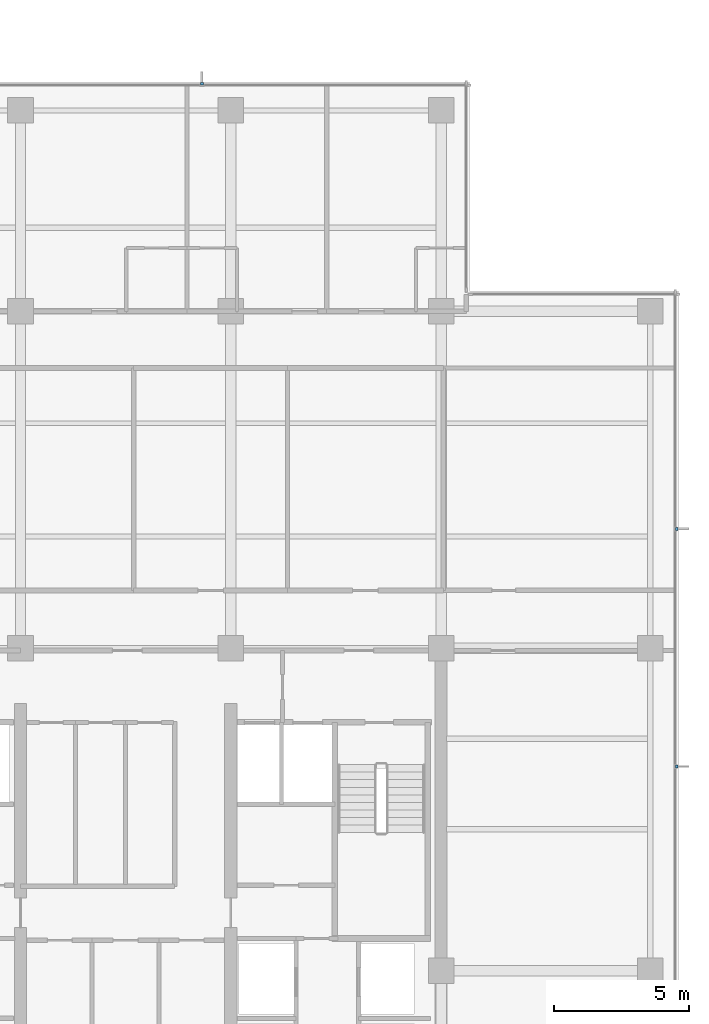
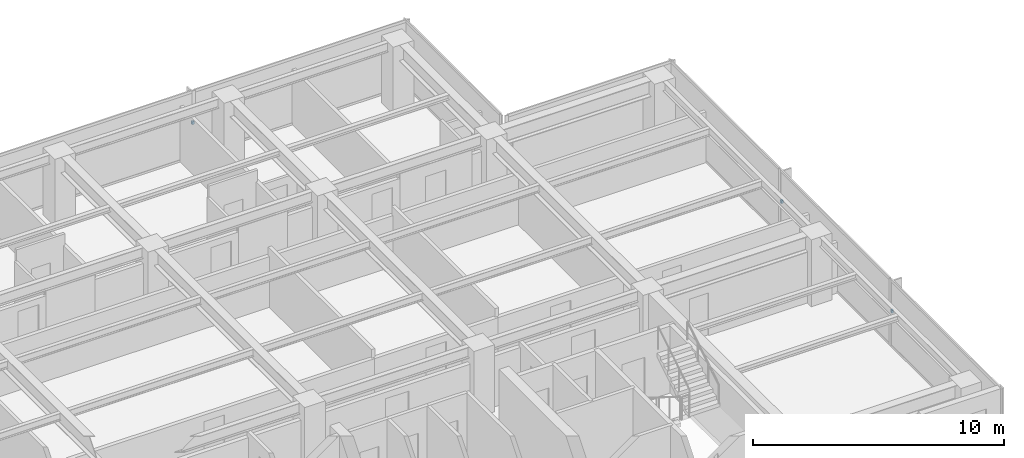
# One storey, part 12 of 14: 3 discrete accessories.
"""IFC4 building model written with IfcOpenShell, lengths in metres."""

from ifc_helpers import new_model, si_unit, direction, frame, origin, place, context, subcontext, project, spatial, polyline, outline, extrude, material, type_object, element, save


model = new_model("IFC4")

# Units and contexts
model_context = context("Model", 3, precision=1e-05, world=origin(), true_north=direction((0.0, 1.0)))
body_context = subcontext(model_context, "Body", "Model", "MODEL_VIEW")
ifc_project = project(units=[si_unit("LENGTHUNIT", "METRE"), si_unit("AREAUNIT", "SQUARE_METRE"), si_unit("VOLUMEUNIT", "CUBIC_METRE"), si_unit("PLANEANGLEUNIT", "RADIAN"), si_unit("MASSUNIT", "GRAM", prefix="KILO")], contexts=[model_context])

# Site, building, storey
site_placement = place(None, origin())
site = spatial("IfcSite", under=ifc_project, at=site_placement, CompositionType="ELEMENT")
building_placement = place(site_placement, origin())
building = spatial("IfcBuilding", under=site, at=building_placement, Name="Qalmaran Belvedere Hotel", CompositionType="ELEMENT")
storey_placement = place(building_placement, frame((0.0, 0.0, 200.39990234375)))
storey = spatial("IfcBuildingStorey", under=building, at=storey_placement, Name="L50", CompositionType="ELEMENT", Elevation=200.39990234375)

# Discrete accessories
ifc_material = material(Name="Stainless Steel 1.4401", Category="steel")
discrete_accessory_type = type_object("IfcDiscreteAccessoryType", Name="BRK-FIN-SS316", PredefinedType="BRACKET", material=ifc_material)
discrete_accessory_1_placement = place(storey_placement, frame((0.0, 0.0, 1.580078125)))
element("IfcDiscreteAccessory", 1, at=discrete_accessory_1_placement, inside=storey, type_object=discrete_accessory_type, Name="L50 Fin Bracket 1", PredefinedType="BRACKET", context=body_context, shape_type="SweptSolid", body=[
    extrude(outline(polyline([(53.4951171875, 16.061767578125), (53.58740234375, 16.061767578125), (53.58740234375, 16.171630859375), (53.4951171875, 16.171630859375), (53.4951171875, 16.061767578125)])), origin(), (0.0, 0.0, 1.0), 0.14013671875),
])
discrete_accessory_2_placement = place(storey_placement, frame((0.0, 0.0, 1.580078125)))
element("IfcDiscreteAccessory", 2, at=discrete_accessory_2_placement, inside=storey, type_object=discrete_accessory_type, Name="L50 Fin Bracket 2", PredefinedType="BRACKET", context=body_context, shape_type="SweptSolid", body=[
    extrude(outline(polyline([(53.4951171875, 24.87841796875), (53.58740234375, 24.87841796875), (53.58740234375, 24.98828125), (53.4951171875, 24.98828125), (53.4951171875, 24.87841796875)])), origin(), (0.0, 0.0, 1.0), 0.14013671875),
])
discrete_accessory_3_placement = place(storey_placement, frame((0.0, 0.0, 1.580078125)))
element("IfcDiscreteAccessory", 3, at=discrete_accessory_3_placement, inside=storey, type_object=discrete_accessory_type, Name="L50 Fin Bracket 1", PredefinedType="BRACKET", context=body_context, shape_type="SweptSolid", body=[
    extrude(outline(polyline([(35.97998046875, 41.39501953125), (35.97998046875, 41.487548828125), (35.8701171875, 41.487548828125), (35.8701171875, 41.39501953125), (35.97998046875, 41.39501953125)])), origin(), (0.0, 0.0, 1.0), 0.14013671875),
])

save(model, "model.ifc")
